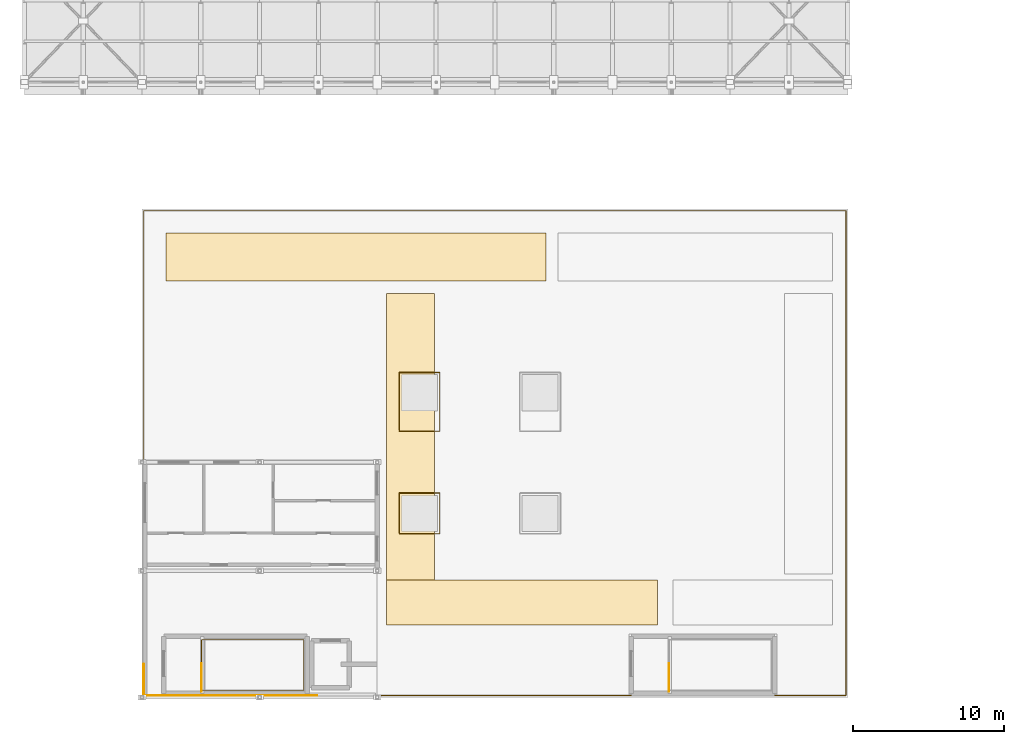
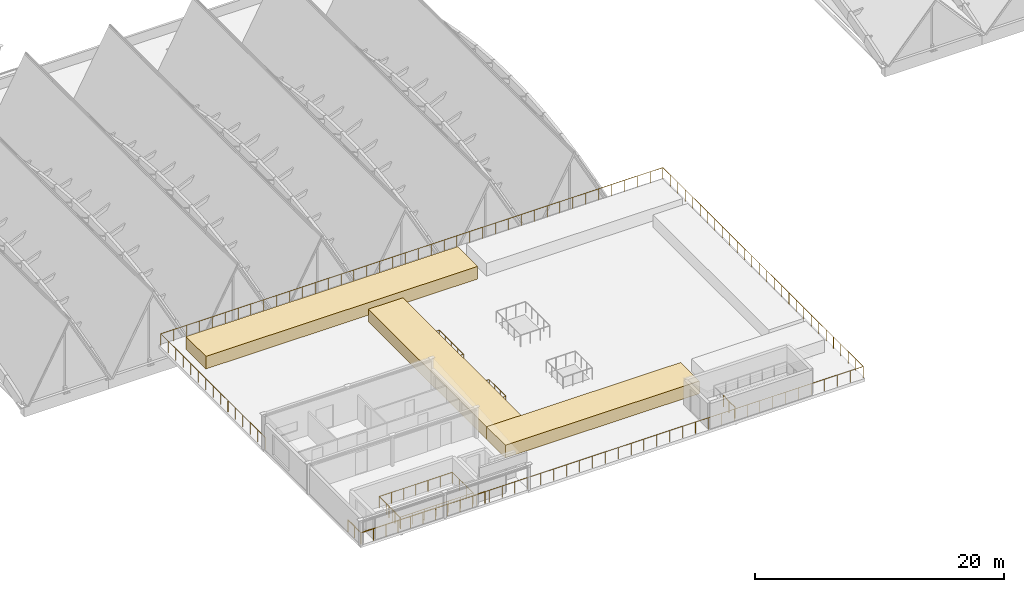
# One storey, part 37 of 39: 7 railings, 3 coverings.
"""IFC4 building model written with IfcOpenShell, lengths in metres."""

from ifc_helpers import new_model, si_unit, direction, frame, origin, origin_2d, place, context, subcontext, project, spatial, polyline, circle, outline, extrude, material, layer, layer_set, type_object, element, save


model = new_model("IFC4")

# Units and contexts
model_context = context("Model", 3, precision=1e-05, world=origin(), true_north=direction((0.0, 1.0)))
body_context = subcontext(model_context, "Body", "Model", "MODEL_VIEW")
ifc_project = project(units=[si_unit("LENGTHUNIT", "METRE"), si_unit("AREAUNIT", "SQUARE_METRE"), si_unit("VOLUMEUNIT", "CUBIC_METRE"), si_unit("PLANEANGLEUNIT", "RADIAN"), si_unit("MASSUNIT", "GRAM", prefix="KILO")], contexts=[model_context])

# Site, building, storey
site_placement = place(None, origin())
site = spatial("IfcSite", under=ifc_project, at=site_placement, CompositionType="ELEMENT")
building_placement = place(site_placement, origin())
building = spatial("IfcBuilding", under=site, at=building_placement, Name="Tizgana Railside Sports Hall", CompositionType="ELEMENT")
storey_placement = place(building_placement, frame((0.0, 0.0, 23.699951171875)))
storey = spatial("IfcBuildingStorey", under=building, at=storey_placement, Name="RF", CompositionType="ELEMENT", Elevation=23.699951171875)

# Railings
ifc_material_1 = material(Name="Galvanised steel sheet", Category="steel")
railing_type_1 = type_object("IfcRailingType", Name="Safety Balustrade Guard 1100", PredefinedType="BALUSTRADE", material=ifc_material_1)
railing_1_placement = place(storey_placement, frame((11.75, 0.39990234375, 0.0)))
element("IfcRailing", 1, at=railing_1_placement, inside=storey, type_object=railing_type_1, Name="RF ST-01 top well guard 1", PredefinedType="BALUSTRADE", context=body_context, shape_type="SweptSolid", body=[
    extrude(circle(Radius=0.02392578125, at=origin_2d()), frame((0.0, 0.0, 1.076171875), z_axis=(0.0, 1.0, 0.0), x_axis=(-1.0, 0.0, 0.0)), (0.0, 0.0, 1.0), 1.85009765625),
    extrude(circle(Radius=0.02099609375, at=origin_2d()), origin(), (0.0, 0.0, 1.0), 1.052001953125),
    extrude(circle(Radius=0.02099609375, at=origin_2d()), frame((0.0, 0.925048828125, 0.0)), (0.0, 0.0, 1.0), 1.052001953125),
    extrude(circle(Radius=0.02099609375, at=origin_2d()), frame((0.0, 1.85009765625, 0.0)), (0.0, 0.0, 1.0), 1.052001953125),
])
railing_2_placement = place(storey_placement, frame((11.75, 0.47998046875, 0.0)))
element("IfcRailing", 2, at=railing_2_placement, inside=storey, type_object=railing_type_1, Name="RF ST-01 Well Guard", PredefinedType="BALUSTRADE", context=body_context, shape_type="SweptSolid", body=[
    extrude(circle(Radius=0.02392578125, at=origin_2d()), frame((0.0, 0.0, 1.09619140625), z_axis=(1.0, 0.0, 0.0), x_axis=(0.0, 1.0, 0.0)), (0.0, 0.0, 1.0), 6.77001953125),
    extrude(circle(Radius=0.02392578125, at=origin_2d()), frame((6.77001953125, 0.0, 1.09619140625), z_axis=(0.0, 1.0, 0.0), x_axis=(-1.0, 0.0, 0.0)), (0.0, 0.0, 1.0), 3.340087890625),
    extrude(circle(Radius=0.02392578125, at=origin_2d()), frame((6.77001953125, 3.340087890625, 1.09619140625), z_axis=(-1.0, 0.0, 0.0), x_axis=(0.0, -1.0, 0.0)), (0.0, 0.0, 1.0), 6.77001953125),
    extrude(circle(Radius=0.02392578125, at=origin_2d()), frame((0.0, 3.340087890625, 1.09619140625), z_axis=(0.0, -1.0, 0.0), x_axis=(1.0, 0.0, 0.0)), (0.0, 0.0, 1.0), 3.280029296875),
    extrude(circle(Radius=0.02099609375, at=origin_2d()), origin(), (0.0, 0.0, 1.0), 1.072021484375),
    extrude(circle(Radius=0.02099609375, at=origin_2d()), frame((1.12841796875, 0.0, 0.0)), (0.0, 0.0, 1.0), 1.072021484375),
    extrude(circle(Radius=0.02099609375, at=origin_2d()), frame((2.256591796875, 0.0, 0.0)), (0.0, 0.0, 1.0), 1.072021484375),
    extrude(circle(Radius=0.02099609375, at=origin_2d()), frame((3.385009765625, 0.0, 0.0)), (0.0, 0.0, 1.0), 1.072021484375),
    extrude(circle(Radius=0.02099609375, at=origin_2d()), frame((4.513427734375, 0.0, 0.0)), (0.0, 0.0, 1.0), 1.072021484375),
    extrude(circle(Radius=0.02099609375, at=origin_2d()), frame((5.6416015625, 0.0, 0.0)), (0.0, 0.0, 1.0), 1.072021484375),
    extrude(circle(Radius=0.02099609375, at=origin_2d()), frame((6.77001953125, 0.0, 0.0)), (0.0, 0.0, 1.0), 1.072021484375),
    extrude(circle(Radius=0.02099609375, at=origin_2d()), frame((6.77001953125, 1.11328125, 0.0)), (0.0, 0.0, 1.0), 1.072021484375),
    extrude(circle(Radius=0.02099609375, at=origin_2d()), frame((6.77001953125, 2.226806640625, 0.0)), (0.0, 0.0, 1.0), 1.072021484375),
    extrude(circle(Radius=0.02099609375, at=origin_2d()), frame((6.77001953125, 3.340087890625, 0.0)), (0.0, 0.0, 1.0), 1.072021484375),
    extrude(circle(Radius=0.02099609375, at=origin_2d()), frame((5.6416015625, 3.340087890625, 0.0)), (0.0, 0.0, 1.0), 1.072021484375),
    extrude(circle(Radius=0.02099609375, at=origin_2d()), frame((4.513427734375, 3.340087890625, 0.0)), (0.0, 0.0, 1.0), 1.072021484375),
    extrude(circle(Radius=0.02099609375, at=origin_2d()), frame((3.385009765625, 3.340087890625, 0.0)), (0.0, 0.0, 1.0), 1.072021484375),
    extrude(circle(Radius=0.02099609375, at=origin_2d()), frame((2.256591796875, 3.340087890625, 0.0)), (0.0, 0.0, 1.0), 1.072021484375),
    extrude(circle(Radius=0.02099609375, at=origin_2d()), frame((1.12841796875, 3.340087890625, 0.0)), (0.0, 0.0, 1.0), 1.072021484375),
    extrude(circle(Radius=0.02099609375, at=origin_2d()), frame((0.0, 3.340087890625, 0.0)), (0.0, 0.0, 1.0), 1.072021484375),
    extrude(circle(Radius=0.02099609375, at=origin_2d()), frame((0.0, 2.246826171875, 0.0)), (0.0, 0.0, 1.0), 1.072021484375),
    extrude(circle(Radius=0.02099609375, at=origin_2d()), frame((0.0, 1.1533203125, 0.0)), (0.0, 0.0, 1.0), 1.072021484375),
    extrude(circle(Radius=0.02099609375, at=origin_2d()), frame((0.0, 0.06005859375, 0.0)), (0.0, 0.0, 1.0), 1.072021484375),
])
railing_3_placement = place(storey_placement, frame((42.75, 0.39990234375, 0.0)))
element("IfcRailing", 3, at=railing_3_placement, inside=storey, type_object=railing_type_1, Name="RF ST-02 top well guard 1", PredefinedType="BALUSTRADE", context=body_context, shape_type="SweptSolid", body=[
    extrude(circle(Radius=0.02392578125, at=origin_2d()), frame((0.0, 0.0, 1.076171875), z_axis=(0.0, 1.0, 0.0), x_axis=(-1.0, 0.0, 0.0)), (0.0, 0.0, 1.0), 1.85009765625),
    extrude(circle(Radius=0.02099609375, at=origin_2d()), origin(), (0.0, 0.0, 1.0), 1.052001953125),
    extrude(circle(Radius=0.02099609375, at=origin_2d()), frame((0.0, 0.925048828125, 0.0)), (0.0, 0.0, 1.0), 1.052001953125),
    extrude(circle(Radius=0.02099609375, at=origin_2d()), frame((0.0, 1.85009765625, 0.0)), (0.0, 0.0, 1.0), 1.052001953125),
])
ifc_material_2 = material(Name="Anodised aluminium", Category="aluminium")
railing_type_2 = type_object("IfcRailingType", Name="Terrace & Track Guard 1150", PredefinedType="BALUSTRADE", material=ifc_material_2)
railing_4_placement = place(storey_placement, frame((18.60009765625, 0.1201171875, 0.0)))
element("IfcRailing", 4, at=railing_4_placement, inside=storey, type_object=railing_type_2, Name="RF Safety Guard GRD-0015", PredefinedType="BALUSTRADE", context=body_context, shape_type="SweptSolid", body=[
    extrude(circle(Radius=0.02392578125, at=origin_2d()), frame((0.0, 0.0, 1.1259765625), z_axis=(1.0, 0.0, 0.0), x_axis=(0.0, 1.0, 0.0)), (0.0, 0.0, 1.0), 35.8798828125),
    extrude(circle(Radius=0.02392578125, at=origin_2d()), frame((35.8798828125, 0.0, 1.1259765625), z_axis=(0.0, 1.0, 0.0), x_axis=(-1.0, 0.0, 0.0)), (0.0, 0.0, 1.0), 32.159912109375),
    extrude(circle(Radius=0.02392578125, at=origin_2d()), frame((35.8798828125, 32.159912109375, 1.1259765625), z_axis=(-1.0, 0.0, 0.0), x_axis=(0.0, -1.0, 0.0)), (0.0, 0.0, 1.0), 46.56005859375),
    extrude(circle(Radius=0.02392578125, at=origin_2d()), frame((-10.68017578125, 32.159912109375, 1.1259765625), z_axis=(0.0, -1.0, 0.0), x_axis=(1.0, 0.0, 0.0)), (0.0, 0.0, 1.0), 16.780029296875),
    extrude(circle(Radius=0.02099609375, at=origin_2d()), origin(), (0.0, 0.0, 1.0), 1.101806640625),
    extrude(circle(Radius=0.02099609375, at=origin_2d()), frame((1.196044921875, 0.0, 0.0)), (0.0, 0.0, 1.0), 1.101806640625),
    extrude(circle(Radius=0.02099609375, at=origin_2d()), frame((2.39208984375, 0.0, 0.0)), (0.0, 0.0, 1.0), 1.101806640625),
    extrude(circle(Radius=0.02099609375, at=origin_2d()), frame((3.587890625, 0.0, 0.0)), (0.0, 0.0, 1.0), 1.101806640625),
    extrude(circle(Radius=0.02099609375, at=origin_2d()), frame((4.783935546875, 0.0, 0.0)), (0.0, 0.0, 1.0), 1.101806640625),
    extrude(circle(Radius=0.02099609375, at=origin_2d()), frame((5.97998046875, 0.0, 0.0)), (0.0, 0.0, 1.0), 1.101806640625),
    extrude(circle(Radius=0.02099609375, at=origin_2d()), frame((7.176025390625, 0.0, 0.0)), (0.0, 0.0, 1.0), 1.101806640625),
    extrude(circle(Radius=0.02099609375, at=origin_2d()), frame((8.3720703125, 0.0, 0.0)), (0.0, 0.0, 1.0), 1.101806640625),
    extrude(circle(Radius=0.02099609375, at=origin_2d()), frame((9.56787109375, 0.0, 0.0)), (0.0, 0.0, 1.0), 1.101806640625),
    extrude(circle(Radius=0.02099609375, at=origin_2d()), frame((10.763916015625, 0.0, 0.0)), (0.0, 0.0, 1.0), 1.101806640625),
    extrude(circle(Radius=0.02099609375, at=origin_2d()), frame((11.9599609375, 0.0, 0.0)), (0.0, 0.0, 1.0), 1.101806640625),
    extrude(circle(Radius=0.02099609375, at=origin_2d()), frame((13.156005859375, 0.0, 0.0)), (0.0, 0.0, 1.0), 1.101806640625),
    extrude(circle(Radius=0.02099609375, at=origin_2d()), frame((14.35205078125, 0.0, 0.0)), (0.0, 0.0, 1.0), 1.101806640625),
    extrude(circle(Radius=0.02099609375, at=origin_2d()), frame((15.5478515625, 0.0, 0.0)), (0.0, 0.0, 1.0), 1.101806640625),
    extrude(circle(Radius=0.02099609375, at=origin_2d()), frame((16.743896484375, 0.0, 0.0)), (0.0, 0.0, 1.0), 1.101806640625),
    extrude(circle(Radius=0.02099609375, at=origin_2d()), frame((17.93994140625, 0.0, 0.0)), (0.0, 0.0, 1.0), 1.101806640625),
    extrude(circle(Radius=0.02099609375, at=origin_2d()), frame((19.135986328125, 0.0, 0.0)), (0.0, 0.0, 1.0), 1.101806640625),
    extrude(circle(Radius=0.02099609375, at=origin_2d()), frame((20.33203125, 0.0, 0.0)), (0.0, 0.0, 1.0), 1.101806640625),
    extrude(circle(Radius=0.02099609375, at=origin_2d()), frame((21.52783203125, 0.0, 0.0)), (0.0, 0.0, 1.0), 1.101806640625),
    extrude(circle(Radius=0.02099609375, at=origin_2d()), frame((22.723876953125, 0.0, 0.0)), (0.0, 0.0, 1.0), 1.101806640625),
    extrude(circle(Radius=0.02099609375, at=origin_2d()), frame((23.919921875, 0.0, 0.0)), (0.0, 0.0, 1.0), 1.101806640625),
    extrude(circle(Radius=0.02099609375, at=origin_2d()), frame((25.115966796875, 0.0, 0.0)), (0.0, 0.0, 1.0), 1.101806640625),
    extrude(circle(Radius=0.02099609375, at=origin_2d()), frame((26.31201171875, 0.0, 0.0)), (0.0, 0.0, 1.0), 1.101806640625),
    extrude(circle(Radius=0.02099609375, at=origin_2d()), frame((27.5078125, 0.0, 0.0)), (0.0, 0.0, 1.0), 1.101806640625),
    extrude(circle(Radius=0.02099609375, at=origin_2d()), frame((28.703857421875, 0.0, 0.0)), (0.0, 0.0, 1.0), 1.101806640625),
    extrude(circle(Radius=0.02099609375, at=origin_2d()), frame((29.89990234375, 0.0, 0.0)), (0.0, 0.0, 1.0), 1.101806640625),
    extrude(circle(Radius=0.02099609375, at=origin_2d()), frame((31.095947265625, 0.0, 0.0)), (0.0, 0.0, 1.0), 1.101806640625),
    extrude(circle(Radius=0.02099609375, at=origin_2d()), frame((32.2919921875, 0.0, 0.0)), (0.0, 0.0, 1.0), 1.101806640625),
    extrude(circle(Radius=0.02099609375, at=origin_2d()), frame((33.48779296875, 0.0, 0.0)), (0.0, 0.0, 1.0), 1.101806640625),
    extrude(circle(Radius=0.02099609375, at=origin_2d()), frame((34.683837890625, 0.0, 0.0)), (0.0, 0.0, 1.0), 1.101806640625),
    extrude(circle(Radius=0.02099609375, at=origin_2d()), frame((35.8798828125, 0.0, 0.0)), (0.0, 0.0, 1.0), 1.101806640625),
    extrude(circle(Radius=0.02099609375, at=origin_2d()), frame((35.8798828125, 1.191162109375, 0.0)), (0.0, 0.0, 1.0), 1.101806640625),
    extrude(circle(Radius=0.02099609375, at=origin_2d()), frame((35.8798828125, 2.38232421875, 0.0)), (0.0, 0.0, 1.0), 1.101806640625),
    extrude(circle(Radius=0.02099609375, at=origin_2d()), frame((35.8798828125, 3.5732421875, 0.0)), (0.0, 0.0, 1.0), 1.101806640625),
    extrude(circle(Radius=0.02099609375, at=origin_2d()), frame((35.8798828125, 4.764404296875, 0.0)), (0.0, 0.0, 1.0), 1.101806640625),
    extrude(circle(Radius=0.02099609375, at=origin_2d()), frame((35.8798828125, 5.95556640625, 0.0)), (0.0, 0.0, 1.0), 1.101806640625),
    extrude(circle(Radius=0.02099609375, at=origin_2d()), frame((35.8798828125, 7.146728515625, 0.0)), (0.0, 0.0, 1.0), 1.101806640625),
    extrude(circle(Radius=0.02099609375, at=origin_2d()), frame((35.8798828125, 8.337646484375, 0.0)), (0.0, 0.0, 1.0), 1.101806640625),
    extrude(circle(Radius=0.02099609375, at=origin_2d()), frame((35.8798828125, 9.52880859375, 0.0)), (0.0, 0.0, 1.0), 1.101806640625),
    extrude(circle(Radius=0.02099609375, at=origin_2d()), frame((35.8798828125, 10.719970703125, 0.0)), (0.0, 0.0, 1.0), 1.101806640625),
    extrude(circle(Radius=0.02099609375, at=origin_2d()), frame((35.8798828125, 11.9111328125, 0.0)), (0.0, 0.0, 1.0), 1.101806640625),
    extrude(circle(Radius=0.02099609375, at=origin_2d()), frame((35.8798828125, 13.102294921875, 0.0)), (0.0, 0.0, 1.0), 1.101806640625),
    extrude(circle(Radius=0.02099609375, at=origin_2d()), frame((35.8798828125, 14.293212890625, 0.0)), (0.0, 0.0, 1.0), 1.101806640625),
    extrude(circle(Radius=0.02099609375, at=origin_2d()), frame((35.8798828125, 15.484375, 0.0)), (0.0, 0.0, 1.0), 1.101806640625),
    extrude(circle(Radius=0.02099609375, at=origin_2d()), frame((35.8798828125, 16.675537109375, 0.0)), (0.0, 0.0, 1.0), 1.101806640625),
    extrude(circle(Radius=0.02099609375, at=origin_2d()), frame((35.8798828125, 17.86669921875, 0.0)), (0.0, 0.0, 1.0), 1.101806640625),
    extrude(circle(Radius=0.02099609375, at=origin_2d()), frame((35.8798828125, 19.0576171875, 0.0)), (0.0, 0.0, 1.0), 1.101806640625),
    extrude(circle(Radius=0.02099609375, at=origin_2d()), frame((35.8798828125, 20.248779296875, 0.0)), (0.0, 0.0, 1.0), 1.101806640625),
    extrude(circle(Radius=0.02099609375, at=origin_2d()), frame((35.8798828125, 21.43994140625, 0.0)), (0.0, 0.0, 1.0), 1.101806640625),
    extrude(circle(Radius=0.02099609375, at=origin_2d()), frame((35.8798828125, 22.631103515625, 0.0)), (0.0, 0.0, 1.0), 1.101806640625),
    extrude(circle(Radius=0.02099609375, at=origin_2d()), frame((35.8798828125, 23.822265625, 0.0)), (0.0, 0.0, 1.0), 1.101806640625),
    extrude(circle(Radius=0.02099609375, at=origin_2d()), frame((35.8798828125, 25.01318359375, 0.0)), (0.0, 0.0, 1.0), 1.101806640625),
    extrude(circle(Radius=0.02099609375, at=origin_2d()), frame((35.8798828125, 26.204345703125, 0.0)), (0.0, 0.0, 1.0), 1.101806640625),
    extrude(circle(Radius=0.02099609375, at=origin_2d()), frame((35.8798828125, 27.3955078125, 0.0)), (0.0, 0.0, 1.0), 1.101806640625),
    extrude(circle(Radius=0.02099609375, at=origin_2d()), frame((35.8798828125, 28.586669921875, 0.0)), (0.0, 0.0, 1.0), 1.101806640625),
    extrude(circle(Radius=0.02099609375, at=origin_2d()), frame((35.8798828125, 29.777587890625, 0.0)), (0.0, 0.0, 1.0), 1.101806640625),
    extrude(circle(Radius=0.02099609375, at=origin_2d()), frame((35.8798828125, 30.96875, 0.0)), (0.0, 0.0, 1.0), 1.101806640625),
    extrude(circle(Radius=0.02099609375, at=origin_2d()), frame((35.8798828125, 32.159912109375, 0.0)), (0.0, 0.0, 1.0), 1.101806640625),
    extrude(circle(Radius=0.02099609375, at=origin_2d()), frame((34.68603515625, 32.159912109375, 0.0)), (0.0, 0.0, 1.0), 1.101806640625),
    extrude(circle(Radius=0.02099609375, at=origin_2d()), frame((33.4921875, 32.159912109375, 0.0)), (0.0, 0.0, 1.0), 1.101806640625),
    extrude(circle(Radius=0.02099609375, at=origin_2d()), frame((32.29833984375, 32.159912109375, 0.0)), (0.0, 0.0, 1.0), 1.101806640625),
    extrude(circle(Radius=0.02099609375, at=origin_2d()), frame((31.1044921875, 32.159912109375, 0.0)), (0.0, 0.0, 1.0), 1.101806640625),
    extrude(circle(Radius=0.02099609375, at=origin_2d()), frame((29.91064453125, 32.159912109375, 0.0)), (0.0, 0.0, 1.0), 1.101806640625),
    extrude(circle(Radius=0.02099609375, at=origin_2d()), frame((28.716796875, 32.159912109375, 0.0)), (0.0, 0.0, 1.0), 1.101806640625),
    extrude(circle(Radius=0.02099609375, at=origin_2d()), frame((27.52294921875, 32.159912109375, 0.0)), (0.0, 0.0, 1.0), 1.101806640625),
    extrude(circle(Radius=0.02099609375, at=origin_2d()), frame((26.3291015625, 32.159912109375, 0.0)), (0.0, 0.0, 1.0), 1.101806640625),
    extrude(circle(Radius=0.02099609375, at=origin_2d()), frame((25.13525390625, 32.159912109375, 0.0)), (0.0, 0.0, 1.0), 1.101806640625),
    extrude(circle(Radius=0.02099609375, at=origin_2d()), frame((23.94140625, 32.159912109375, 0.0)), (0.0, 0.0, 1.0), 1.101806640625),
    extrude(circle(Radius=0.02099609375, at=origin_2d()), frame((22.74755859375, 32.159912109375, 0.0)), (0.0, 0.0, 1.0), 1.101806640625),
    extrude(circle(Radius=0.02099609375, at=origin_2d()), frame((21.5537109375, 32.159912109375, 0.0)), (0.0, 0.0, 1.0), 1.101806640625),
    extrude(circle(Radius=0.02099609375, at=origin_2d()), frame((20.35986328125, 32.159912109375, 0.0)), (0.0, 0.0, 1.0), 1.101806640625),
    extrude(circle(Radius=0.02099609375, at=origin_2d()), frame((19.166015625, 32.159912109375, 0.0)), (0.0, 0.0, 1.0), 1.101806640625),
    extrude(circle(Radius=0.02099609375, at=origin_2d()), frame((17.97216796875, 32.159912109375, 0.0)), (0.0, 0.0, 1.0), 1.101806640625),
    extrude(circle(Radius=0.02099609375, at=origin_2d()), frame((16.7783203125, 32.159912109375, 0.0)), (0.0, 0.0, 1.0), 1.101806640625),
    extrude(circle(Radius=0.02099609375, at=origin_2d()), frame((15.58447265625, 32.159912109375, 0.0)), (0.0, 0.0, 1.0), 1.101806640625),
    extrude(circle(Radius=0.02099609375, at=origin_2d()), frame((14.390625, 32.159912109375, 0.0)), (0.0, 0.0, 1.0), 1.101806640625),
    extrude(circle(Radius=0.02099609375, at=origin_2d()), frame((13.19677734375, 32.159912109375, 0.0)), (0.0, 0.0, 1.0), 1.101806640625),
    extrude(circle(Radius=0.02099609375, at=origin_2d()), frame((12.0029296875, 32.159912109375, 0.0)), (0.0, 0.0, 1.0), 1.101806640625),
    extrude(circle(Radius=0.02099609375, at=origin_2d()), frame((10.80908203125, 32.159912109375, 0.0)), (0.0, 0.0, 1.0), 1.101806640625),
    extrude(circle(Radius=0.02099609375, at=origin_2d()), frame((9.615234375, 32.159912109375, 0.0)), (0.0, 0.0, 1.0), 1.101806640625),
    extrude(circle(Radius=0.02099609375, at=origin_2d()), frame((8.42138671875, 32.159912109375, 0.0)), (0.0, 0.0, 1.0), 1.101806640625),
    extrude(circle(Radius=0.02099609375, at=origin_2d()), frame((7.2275390625, 32.159912109375, 0.0)), (0.0, 0.0, 1.0), 1.101806640625),
    extrude(circle(Radius=0.02099609375, at=origin_2d()), frame((6.03369140625, 32.159912109375, 0.0)), (0.0, 0.0, 1.0), 1.101806640625),
    extrude(circle(Radius=0.02099609375, at=origin_2d()), frame((4.83984375, 32.159912109375, 0.0)), (0.0, 0.0, 1.0), 1.101806640625),
    extrude(circle(Radius=0.02099609375, at=origin_2d()), frame((3.64599609375, 32.159912109375, 0.0)), (0.0, 0.0, 1.0), 1.101806640625),
    extrude(circle(Radius=0.02099609375, at=origin_2d()), frame((2.4521484375, 32.159912109375, 0.0)), (0.0, 0.0, 1.0), 1.101806640625),
    extrude(circle(Radius=0.02099609375, at=origin_2d()), frame((1.25830078125, 32.159912109375, 0.0)), (0.0, 0.0, 1.0), 1.101806640625),
    extrude(circle(Radius=0.02099609375, at=origin_2d()), frame((0.064453125, 32.159912109375, 0.0)), (0.0, 0.0, 1.0), 1.101806640625),
    extrude(circle(Radius=0.02099609375, at=origin_2d()), frame((-1.12939453125, 32.159912109375, 0.0)), (0.0, 0.0, 1.0), 1.101806640625),
    extrude(circle(Radius=0.02099609375, at=origin_2d()), frame((-2.3232421875, 32.159912109375, 0.0)), (0.0, 0.0, 1.0), 1.101806640625),
    extrude(circle(Radius=0.02099609375, at=origin_2d()), frame((-3.51708984375, 32.159912109375, 0.0)), (0.0, 0.0, 1.0), 1.101806640625),
    extrude(circle(Radius=0.02099609375, at=origin_2d()), frame((-4.7109375, 32.159912109375, 0.0)), (0.0, 0.0, 1.0), 1.101806640625),
    extrude(circle(Radius=0.02099609375, at=origin_2d()), frame((-5.90478515625, 32.159912109375, 0.0)), (0.0, 0.0, 1.0), 1.101806640625),
    extrude(circle(Radius=0.02099609375, at=origin_2d()), frame((-7.0986328125, 32.159912109375, 0.0)), (0.0, 0.0, 1.0), 1.101806640625),
    extrude(circle(Radius=0.02099609375, at=origin_2d()), frame((-8.29248046875, 32.159912109375, 0.0)), (0.0, 0.0, 1.0), 1.101806640625),
    extrude(circle(Radius=0.02099609375, at=origin_2d()), frame((-9.486328125, 32.159912109375, 0.0)), (0.0, 0.0, 1.0), 1.101806640625),
    extrude(circle(Radius=0.02099609375, at=origin_2d()), frame((-10.68017578125, 32.159912109375, 0.0)), (0.0, 0.0, 1.0), 1.101806640625),
    extrude(circle(Radius=0.02099609375, at=origin_2d()), frame((-10.68017578125, 30.96142578125, 0.0)), (0.0, 0.0, 1.0), 1.101806640625),
    extrude(circle(Radius=0.02099609375, at=origin_2d()), frame((-10.68017578125, 29.7626953125, 0.0)), (0.0, 0.0, 1.0), 1.101806640625),
    extrude(circle(Radius=0.02099609375, at=origin_2d()), frame((-10.68017578125, 28.564208984375, 0.0)), (0.0, 0.0, 1.0), 1.101806640625),
    extrude(circle(Radius=0.02099609375, at=origin_2d()), frame((-10.68017578125, 27.36572265625, 0.0)), (0.0, 0.0, 1.0), 1.101806640625),
    extrude(circle(Radius=0.02099609375, at=origin_2d()), frame((-10.68017578125, 26.1669921875, 0.0)), (0.0, 0.0, 1.0), 1.101806640625),
    extrude(circle(Radius=0.02099609375, at=origin_2d()), frame((-10.68017578125, 24.968505859375, 0.0)), (0.0, 0.0, 1.0), 1.101806640625),
    extrude(circle(Radius=0.02099609375, at=origin_2d()), frame((-10.68017578125, 23.77001953125, 0.0)), (0.0, 0.0, 1.0), 1.101806640625),
    extrude(circle(Radius=0.02099609375, at=origin_2d()), frame((-10.68017578125, 22.5712890625, 0.0)), (0.0, 0.0, 1.0), 1.101806640625),
    extrude(circle(Radius=0.02099609375, at=origin_2d()), frame((-10.68017578125, 21.372802734375, 0.0)), (0.0, 0.0, 1.0), 1.101806640625),
    extrude(circle(Radius=0.02099609375, at=origin_2d()), frame((-10.68017578125, 20.174072265625, 0.0)), (0.0, 0.0, 1.0), 1.101806640625),
    extrude(circle(Radius=0.02099609375, at=origin_2d()), frame((-10.68017578125, 18.9755859375, 0.0)), (0.0, 0.0, 1.0), 1.101806640625),
    extrude(circle(Radius=0.02099609375, at=origin_2d()), frame((-10.68017578125, 17.777099609375, 0.0)), (0.0, 0.0, 1.0), 1.101806640625),
    extrude(circle(Radius=0.02099609375, at=origin_2d()), frame((-10.68017578125, 16.578369140625, 0.0)), (0.0, 0.0, 1.0), 1.101806640625),
    extrude(circle(Radius=0.02099609375, at=origin_2d()), frame((-10.68017578125, 15.3798828125, 0.0)), (0.0, 0.0, 1.0), 1.101806640625),
])
railing_5_placement = place(storey_placement, frame((7.919921875, 2.199951171875, 0.0)))
element("IfcRailing", 5, at=railing_5_placement, inside=storey, type_object=railing_type_2, Name="RF Safety Guard GRD-0016", PredefinedType="BALUSTRADE", context=body_context, shape_type="SweptSolid", body=[
    extrude(circle(Radius=0.02392578125, at=origin_2d()), frame((0.0, 0.0, 1.1259765625), z_axis=(0.0, -1.0, 0.0), x_axis=(1.0, 0.0, 0.0)), (0.0, 0.0, 1.0), 2.079833984375),
    extrude(circle(Radius=0.02392578125, at=origin_2d()), frame((0.0, -2.079833984375, 1.1259765625), z_axis=(1.0, 0.0, 0.0), x_axis=(0.0, 1.0, 0.0)), (0.0, 0.0, 1.0), 11.47998046875),
    extrude(circle(Radius=0.02099609375, at=origin_2d()), origin(), (0.0, 0.0, 1.0), 1.101806640625),
    extrude(circle(Radius=0.02099609375, at=origin_2d()), frame((0.0, -1.0400390625, 0.0)), (0.0, 0.0, 1.0), 1.101806640625),
    extrude(circle(Radius=0.02099609375, at=origin_2d()), frame((0.0, -2.079833984375, 0.0)), (0.0, 0.0, 1.0), 1.101806640625),
    extrude(circle(Radius=0.02099609375, at=origin_2d()), frame((1.14794921875, -2.079833984375, 0.0)), (0.0, 0.0, 1.0), 1.101806640625),
    extrude(circle(Radius=0.02099609375, at=origin_2d()), frame((2.2958984375, -2.079833984375, 0.0)), (0.0, 0.0, 1.0), 1.101806640625),
    extrude(circle(Radius=0.02099609375, at=origin_2d()), frame((3.444091796875, -2.079833984375, 0.0)), (0.0, 0.0, 1.0), 1.101806640625),
    extrude(circle(Radius=0.02099609375, at=origin_2d()), frame((4.592041015625, -2.079833984375, 0.0)), (0.0, 0.0, 1.0), 1.101806640625),
    extrude(circle(Radius=0.02099609375, at=origin_2d()), frame((5.739990234375, -2.079833984375, 0.0)), (0.0, 0.0, 1.0), 1.101806640625),
    extrude(circle(Radius=0.02099609375, at=origin_2d()), frame((6.887939453125, -2.079833984375, 0.0)), (0.0, 0.0, 1.0), 1.101806640625),
    extrude(circle(Radius=0.02099609375, at=origin_2d()), frame((8.035888671875, -2.079833984375, 0.0)), (0.0, 0.0, 1.0), 1.101806640625),
    extrude(circle(Radius=0.02099609375, at=origin_2d()), frame((9.18408203125, -2.079833984375, 0.0)), (0.0, 0.0, 1.0), 1.101806640625),
    extrude(circle(Radius=0.02099609375, at=origin_2d()), frame((10.33203125, -2.079833984375, 0.0)), (0.0, 0.0, 1.0), 1.101806640625),
    extrude(circle(Radius=0.02099609375, at=origin_2d()), frame((11.47998046875, -2.079833984375, 0.0)), (0.0, 0.0, 1.0), 1.101806640625),
])
railing_6_placement = place(storey_placement, frame((24.85009765625, 10.85009765625, 0.0)))
element("IfcRailing", 6, at=railing_6_placement, inside=storey, type_object=railing_type_2, Name="RF Safety Guard GRD-0017", PredefinedType="BALUSTRADE", context=body_context, shape_type="SweptSolid", body=[
    extrude(circle(Radius=0.02392578125, at=origin_2d()), frame((0.0, 0.0, 1.1259765625), z_axis=(1.0, 0.0, 0.0), x_axis=(0.0, 1.0, 0.0)), (0.0, 0.0, 1.0), 2.699951171875),
    extrude(circle(Radius=0.02392578125, at=origin_2d()), frame((2.699951171875, 0.0, 1.1259765625), z_axis=(0.0, 1.0, 0.0), x_axis=(-1.0, 0.0, 0.0)), (0.0, 0.0, 1.0), 2.699951171875),
    extrude(circle(Radius=0.02392578125, at=origin_2d()), frame((2.699951171875, 2.699951171875, 1.1259765625), z_axis=(-1.0, 0.0, 0.0), x_axis=(0.0, -1.0, 0.0)), (0.0, 0.0, 1.0), 2.699951171875),
    extrude(circle(Radius=0.02392578125, at=origin_2d()), frame((0.0, 2.699951171875, 1.1259765625), z_axis=(0.0, -1.0, 0.0), x_axis=(1.0, 0.0, 0.0)), (0.0, 0.0, 1.0), 2.6201171875),
    extrude(circle(Radius=0.02099609375, at=origin_2d()), origin(), (0.0, 0.0, 1.0), 1.101806640625),
    extrude(circle(Radius=0.02099609375, at=origin_2d()), frame((0.89990234375, 0.0, 0.0)), (0.0, 0.0, 1.0), 1.101806640625),
    extrude(circle(Radius=0.02099609375, at=origin_2d()), frame((1.800048828125, 0.0, 0.0)), (0.0, 0.0, 1.0), 1.101806640625),
    extrude(circle(Radius=0.02099609375, at=origin_2d()), frame((2.699951171875, 0.0, 0.0)), (0.0, 0.0, 1.0), 1.101806640625),
    extrude(circle(Radius=0.02099609375, at=origin_2d()), frame((2.699951171875, 0.89990234375, 0.0)), (0.0, 0.0, 1.0), 1.101806640625),
    extrude(circle(Radius=0.02099609375, at=origin_2d()), frame((2.699951171875, 1.800048828125, 0.0)), (0.0, 0.0, 1.0), 1.101806640625),
    extrude(circle(Radius=0.02099609375, at=origin_2d()), frame((2.699951171875, 2.699951171875, 0.0)), (0.0, 0.0, 1.0), 1.101806640625),
    extrude(circle(Radius=0.02099609375, at=origin_2d()), frame((1.800048828125, 2.699951171875, 0.0)), (0.0, 0.0, 1.0), 1.101806640625),
    extrude(circle(Radius=0.02099609375, at=origin_2d()), frame((0.89990234375, 2.699951171875, 0.0)), (0.0, 0.0, 1.0), 1.101806640625),
    extrude(circle(Radius=0.02099609375, at=origin_2d()), frame((0.0, 2.699951171875, 0.0)), (0.0, 0.0, 1.0), 1.101806640625),
    extrude(circle(Radius=0.02099609375, at=origin_2d()), frame((0.0, 1.82666015625, 0.0)), (0.0, 0.0, 1.0), 1.101806640625),
    extrude(circle(Radius=0.02099609375, at=origin_2d()), frame((0.0, 0.953125, 0.0)), (0.0, 0.0, 1.0), 1.101806640625),
    extrude(circle(Radius=0.02099609375, at=origin_2d()), frame((0.0, 0.079833984375, 0.0)), (0.0, 0.0, 1.0), 1.101806640625),
])
railing_7_placement = place(storey_placement, frame((24.85009765625, 17.64990234375, 0.0)))
element("IfcRailing", 7, at=railing_7_placement, inside=storey, type_object=railing_type_2, Name="RF Safety Guard GRD-0019", PredefinedType="BALUSTRADE", context=body_context, shape_type="SweptSolid", body=[
    extrude(circle(Radius=0.02392578125, at=origin_2d()), frame((0.0, 0.0, 1.1259765625), z_axis=(1.0, 0.0, 0.0), x_axis=(0.0, 1.0, 0.0)), (0.0, 0.0, 1.0), 2.699951171875),
    extrude(circle(Radius=0.02392578125, at=origin_2d()), frame((2.699951171875, 0.0, 1.1259765625), z_axis=(0.0, 1.0, 0.0), x_axis=(-1.0, 0.0, 0.0)), (0.0, 0.0, 1.0), 3.900146484375),
    extrude(circle(Radius=0.02392578125, at=origin_2d()), frame((2.699951171875, 3.900146484375, 1.1259765625), z_axis=(-1.0, 0.0, 0.0), x_axis=(0.0, -1.0, 0.0)), (0.0, 0.0, 1.0), 2.699951171875),
    extrude(circle(Radius=0.02392578125, at=origin_2d()), frame((0.0, 3.900146484375, 1.1259765625), z_axis=(0.0, -1.0, 0.0), x_axis=(1.0, 0.0, 0.0)), (0.0, 0.0, 1.0), 3.820068359375),
    extrude(circle(Radius=0.02099609375, at=origin_2d()), origin(), (0.0, 0.0, 1.0), 1.101806640625),
    extrude(circle(Radius=0.02099609375, at=origin_2d()), frame((0.89990234375, 0.0, 0.0)), (0.0, 0.0, 1.0), 1.101806640625),
    extrude(circle(Radius=0.02099609375, at=origin_2d()), frame((1.800048828125, 0.0, 0.0)), (0.0, 0.0, 1.0), 1.101806640625),
    extrude(circle(Radius=0.02099609375, at=origin_2d()), frame((2.699951171875, 0.0, 0.0)), (0.0, 0.0, 1.0), 1.101806640625),
    extrude(circle(Radius=0.02099609375, at=origin_2d()), frame((2.699951171875, 0.97509765625, 0.0)), (0.0, 0.0, 1.0), 1.101806640625),
    extrude(circle(Radius=0.02099609375, at=origin_2d()), frame((2.699951171875, 1.9501953125, 0.0)), (0.0, 0.0, 1.0), 1.101806640625),
    extrude(circle(Radius=0.02099609375, at=origin_2d()), frame((2.699951171875, 2.925048828125, 0.0)), (0.0, 0.0, 1.0), 1.101806640625),
    extrude(circle(Radius=0.02099609375, at=origin_2d()), frame((2.699951171875, 3.900146484375, 0.0)), (0.0, 0.0, 1.0), 1.101806640625),
    extrude(circle(Radius=0.02099609375, at=origin_2d()), frame((1.800048828125, 3.900146484375, 0.0)), (0.0, 0.0, 1.0), 1.101806640625),
    extrude(circle(Radius=0.02099609375, at=origin_2d()), frame((0.89990234375, 3.900146484375, 0.0)), (0.0, 0.0, 1.0), 1.101806640625),
    extrude(circle(Radius=0.02099609375, at=origin_2d()), frame((0.0, 3.900146484375, 0.0)), (0.0, 0.0, 1.0), 1.101806640625),
    extrude(circle(Radius=0.02099609375, at=origin_2d()), frame((0.0, 2.945068359375, 0.0)), (0.0, 0.0, 1.0), 1.101806640625),
    extrude(circle(Radius=0.02099609375, at=origin_2d()), frame((0.0, 1.990234375, 0.0)), (0.0, 0.0, 1.0), 1.101806640625),
    extrude(circle(Radius=0.02099609375, at=origin_2d()), frame((0.0, 1.03515625, 0.0)), (0.0, 0.0, 1.0), 1.101806640625),
    extrude(circle(Radius=0.02099609375, at=origin_2d()), frame((0.0, 0.080078125, 0.0)), (0.0, 0.0, 1.0), 1.101806640625),
])

# Coverings
ifc_material_3 = material(Name="Vulcanized elastomeric track")
ifc_layer = layer(ifc_material_3, 0.034912109375, Name="Vulcanized elastomeric track")
ifc_layer_set = layer_set([ifc_layer], Name="Vulcanized elastomeric track")
covering_type = type_object("IfcCoveringType", Name="Vulcanized Elastomeric Running Track Surface", PredefinedType="FLOORING", material=ifc_layer_set)
covering_1_placement = place(storey_placement, origin())
element("IfcCovering", 8, at=covering_1_placement, inside=storey, type_object=covering_type, Name="L02 Elastomeric Track TRK-0001", PredefinedType="FLOORING", context=body_context, shape_type="SweptSolid", body=[
    extrude(outline(polyline([(24.0, 4.800048828125), (42.0, 4.800048828125), (42.0, 7.800048828125), (24.0, 7.800048828125), (24.0, 4.800048828125)])), origin(), (0.0, 0.0, 1.0), 1.235107421875),
])
covering_2_placement = place(storey_placement, origin())
element("IfcCovering", 9, at=covering_2_placement, inside=storey, type_object=covering_type, Name="L02 Elastomeric Track TRK-0005", PredefinedType="FLOORING", context=body_context, shape_type="SweptSolid", body=[
    extrude(outline(polyline([(9.39990234375, 27.60009765625), (34.60009765625, 27.60009765625), (34.60009765625, 30.800048828125), (9.39990234375, 30.800048828125), (9.39990234375, 27.60009765625)])), origin(), (0.0, 0.0, 1.0), 1.235107421875),
])
covering_3_placement = place(storey_placement, origin())
element("IfcCovering", 10, at=covering_3_placement, inside=storey, type_object=covering_type, Name="L02 Elastomeric Track TRK-0006", PredefinedType="FLOORING", context=body_context, shape_type="SweptSolid", body=[
    extrude(outline(polyline([(24.0, 5.39990234375), (27.199951171875, 5.39990234375), (27.199951171875, 26.800048828125), (24.0, 26.800048828125), (24.0, 5.39990234375)])), origin(), (0.0, 0.0, 1.0), 1.235107421875),
])

save(model, "model.ifc")
